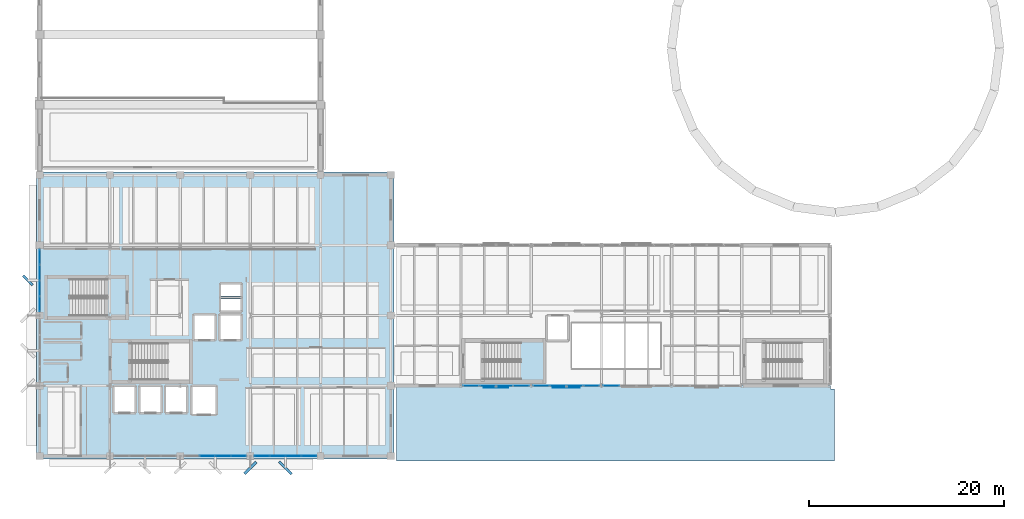
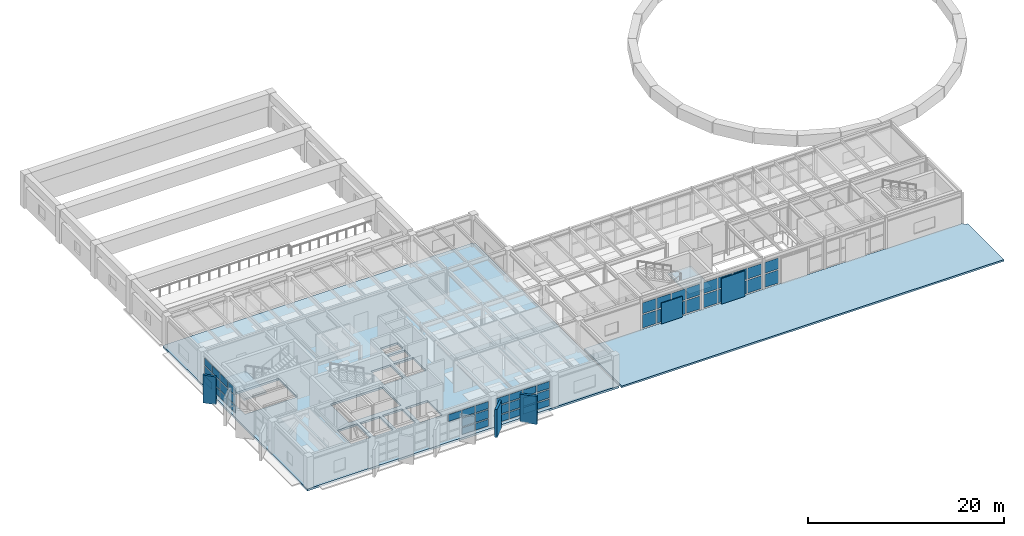
# One storey, part 23 of 37: 54 plates, 4 slabs, 8 elements without a shape of their own.
"""IFC4 building model written with IfcOpenShell, lengths in metres."""

from ifc_helpers import new_model, si_unit, direction, frame, origin, origin_2d, place, context, subcontext, project, spatial, polyline, rectangle, outline, extrude, material, layer, layer_set, type_object, element, aggregate, save


model = new_model("IFC4")

# Units and contexts
model_context = context("Model", 3, precision=1e-05, world=origin(), true_north=direction((0.0, 1.0)))
body_context = subcontext(model_context, "Body", "Model", "MODEL_VIEW")
ifc_project = project(units=[si_unit("LENGTHUNIT", "METRE"), si_unit("AREAUNIT", "SQUARE_METRE"), si_unit("VOLUMEUNIT", "CUBIC_METRE"), si_unit("PLANEANGLEUNIT", "RADIAN"), si_unit("MASSUNIT", "GRAM", prefix="KILO")], contexts=[model_context])

# Site, building, storey
site_placement = place(None, origin())
site = spatial("IfcSite", under=ifc_project, at=site_placement, CompositionType="ELEMENT")
building_placement = place(site_placement, origin())
building = spatial("IfcBuilding", under=site, at=building_placement, Name="Kandorven Conservatory and Botanical Research Centre", CompositionType="ELEMENT")
storey_placement = place(building_placement, frame((0.0, 0.0, 9.0)))
storey = spatial("IfcBuildingStorey", under=building, at=storey_placement, Name="L02", CompositionType="ELEMENT", Elevation=9.0)

# Curtain wall, plates
ifc_material_1 = material(Name="Bronze anodised thermally broken aluminium", Category="aluminium")
ifc_layer_1 = layer(ifc_material_1, 0.179931640625)
ifc_layer_set_1 = layer_set([ifc_layer_1], Name="Bronze anodised thermally broken aluminium")
curtain_wall_type = type_object("IfcCurtainWallType", Name="CW_Unitised", PredefinedType="USERDEFINED", material=ifc_layer_set_1)
curtain_wall_1_placement = place(storey_placement, origin())
curtain_wall_1 = element("IfcCurtainWall", 1, at=curtain_wall_1_placement, inside=storey, type_object=curtain_wall_type, Name="Visitor wing unitised curtain wall CW-VIS-S-L02-2", ObjectType="UNITISED GLAZING", PredefinedType="USERDEFINED")
ifc_material_2 = material(Name="Double-glazed solar-control low-E glass", Category="glass")
ifc_layer_2 = layer(ifc_material_2, 0.028076171875)
ifc_layer_set_2 = layer_set([ifc_layer_2], Name="Double-glazed solar-control low-E glass")
plate_type_1 = type_object("IfcPlateType", Name="CW_Panel", PredefinedType="CURTAIN_PANEL", material=ifc_layer_set_2)
plate_1_placement = place(storey_placement, frame((50.2138671875, 13.199951171875, 0.14990234375), z_axis=(0.0, 0.0, 1.0), x_axis=(1.0, 0.0, 0.0)))
plate_1 = element("IfcPlate", 2, at=plate_1_placement, type_object=plate_type_1, Name="CW-01 panel 1.1", PredefinedType="CURTAIN_PANEL", context=body_context, shape_type="SweptSolid", body=[
    extrude(rectangle(XDim=1.617431640625, YDim=0.028076171875, at=origin_2d()), origin(), (0.0, 0.0, 1.0), 1.625),
])
plate_2_placement = place(storey_placement, frame((50.2138671875, 13.199951171875, 1.9248046875), z_axis=(0.0, 0.0, 1.0), x_axis=(1.0, 0.0, 0.0)))
plate_2 = element("IfcPlate", 3, at=plate_2_placement, type_object=plate_type_1, Name="CW-01 panel 1.2", PredefinedType="CURTAIN_PANEL", context=body_context, shape_type="SweptSolid", body=[
    extrude(rectangle(XDim=1.617431640625, YDim=0.028076171875, at=origin_2d()), origin(), (0.0, 0.0, 1.0), 1.344970703125),
])
plate_3_placement = place(storey_placement, frame((51.93115234375, 13.199951171875, 0.14990234375), z_axis=(0.0, 0.0, 1.0), x_axis=(1.0, 0.0, 0.0)))
plate_3 = element("IfcPlate", 4, at=plate_3_placement, type_object=plate_type_1, Name="CW-01 panel 2.1", PredefinedType="CURTAIN_PANEL", context=body_context, shape_type="SweptSolid", body=[
    extrude(rectangle(XDim=1.657470703125, YDim=0.028076171875, at=origin_2d()), origin(), (0.0, 0.0, 1.0), 1.625),
])
plate_4_placement = place(storey_placement, frame((51.93115234375, 13.199951171875, 1.9248046875), z_axis=(0.0, 0.0, 1.0), x_axis=(1.0, 0.0, 0.0)))
plate_4 = element("IfcPlate", 5, at=plate_4_placement, type_object=plate_type_1, Name="CW-01 panel 2.2", PredefinedType="CURTAIN_PANEL", context=body_context, shape_type="SweptSolid", body=[
    extrude(rectangle(XDim=1.657470703125, YDim=0.028076171875, at=origin_2d()), origin(), (0.0, 0.0, 1.0), 1.344970703125),
])
plate_5_placement = place(storey_placement, frame((53.668701171875, 13.199951171875, 0.14990234375), z_axis=(0.0, 0.0, 1.0), x_axis=(1.0, 0.0, 0.0)))
plate_5 = element("IfcPlate", 6, at=plate_5_placement, type_object=plate_type_1, Name="CW-01 panel 3.1", PredefinedType="CURTAIN_PANEL", context=body_context, shape_type="SweptSolid", body=[
    extrude(rectangle(XDim=1.657470703125, YDim=0.028076171875, at=origin_2d()), origin(), (0.0, 0.0, 1.0), 1.625),
])
plate_6_placement = place(storey_placement, frame((53.668701171875, 13.199951171875, 1.9248046875), z_axis=(0.0, 0.0, 1.0), x_axis=(1.0, 0.0, 0.0)))
plate_6 = element("IfcPlate", 7, at=plate_6_placement, type_object=plate_type_1, Name="CW-01 panel 3.2", PredefinedType="CURTAIN_PANEL", context=body_context, shape_type="SweptSolid", body=[
    extrude(rectangle(XDim=1.657470703125, YDim=0.028076171875, at=origin_2d()), origin(), (0.0, 0.0, 1.0), 1.344970703125),
])
plate_7_placement = place(storey_placement, frame((55.38623046875, 13.199951171875, 0.14990234375), z_axis=(0.0, 0.0, 1.0), x_axis=(1.0, 0.0, 0.0)))
plate_7 = element("IfcPlate", 8, at=plate_7_placement, type_object=plate_type_1, Name="CW-01 panel 4.1", PredefinedType="CURTAIN_PANEL", context=body_context, shape_type="SweptSolid", body=[
    extrude(rectangle(XDim=1.617431640625, YDim=0.028076171875, at=origin_2d()), origin(), (0.0, 0.0, 1.0), 1.625),
])
plate_8_placement = place(storey_placement, frame((55.38623046875, 13.199951171875, 1.9248046875), z_axis=(0.0, 0.0, 1.0), x_axis=(1.0, 0.0, 0.0)))
plate_8 = element("IfcPlate", 9, at=plate_8_placement, type_object=plate_type_1, Name="CW-01 panel 4.2", PredefinedType="CURTAIN_PANEL", context=body_context, shape_type="SweptSolid", body=[
    extrude(rectangle(XDim=1.617431640625, YDim=0.028076171875, at=origin_2d()), origin(), (0.0, 0.0, 1.0), 1.344970703125),
])
aggregate(curtain_wall_1, [plate_1, plate_2, plate_3, plate_4, plate_5, plate_6, plate_7, plate_8])

curtain_wall_2_placement = place(storey_placement, origin())
curtain_wall_2 = element("IfcCurtainWall", 10, at=curtain_wall_2_placement, inside=storey, type_object=curtain_wall_type, Name="Visitor wing unitised curtain wall CW-VIS-S-L02-3", ObjectType="UNITISED GLAZING", PredefinedType="USERDEFINED")
plate_9_placement = place(storey_placement, frame((57.413818359375, 13.199951171875, 0.14990234375), z_axis=(0.0, 0.0, 1.0), x_axis=(1.0, 0.0, 0.0)))
plate_9 = element("IfcPlate", 11, at=plate_9_placement, type_object=plate_type_1, Name="CW-01 panel 1.1", PredefinedType="CURTAIN_PANEL", context=body_context, shape_type="SweptSolid", body=[
    extrude(rectangle(XDim=1.617431640625, YDim=0.028076171875, at=origin_2d()), origin(), (0.0, 0.0, 1.0), 1.625),
])
plate_10_placement = place(storey_placement, frame((57.413818359375, 13.199951171875, 1.9248046875), z_axis=(0.0, 0.0, 1.0), x_axis=(1.0, 0.0, 0.0)))
plate_10 = element("IfcPlate", 12, at=plate_10_placement, type_object=plate_type_1, Name="CW-01 panel 1.2", PredefinedType="CURTAIN_PANEL", context=body_context, shape_type="SweptSolid", body=[
    extrude(rectangle(XDim=1.617431640625, YDim=0.028076171875, at=origin_2d()), origin(), (0.0, 0.0, 1.0), 1.344970703125),
])
plate_11_placement = place(storey_placement, frame((59.13134765625, 13.199951171875, 0.14990234375), z_axis=(0.0, 0.0, 1.0), x_axis=(1.0, 0.0, 0.0)))
plate_11 = element("IfcPlate", 13, at=plate_11_placement, type_object=plate_type_1, Name="CW-01 panel 2.1", PredefinedType="CURTAIN_PANEL", context=body_context, shape_type="SweptSolid", body=[
    extrude(rectangle(XDim=1.657470703125, YDim=0.028076171875, at=origin_2d()), origin(), (0.0, 0.0, 1.0), 1.625),
])
plate_12_placement = place(storey_placement, frame((59.13134765625, 13.199951171875, 1.9248046875), z_axis=(0.0, 0.0, 1.0), x_axis=(1.0, 0.0, 0.0)))
plate_12 = element("IfcPlate", 14, at=plate_12_placement, type_object=plate_type_1, Name="CW-01 panel 2.2", PredefinedType="CURTAIN_PANEL", context=body_context, shape_type="SweptSolid", body=[
    extrude(rectangle(XDim=1.657470703125, YDim=0.028076171875, at=origin_2d()), origin(), (0.0, 0.0, 1.0), 1.344970703125),
])
plate_13_placement = place(storey_placement, frame((60.86865234375, 13.199951171875, 0.14990234375), z_axis=(0.0, 0.0, 1.0), x_axis=(1.0, 0.0, 0.0)))
plate_13 = element("IfcPlate", 15, at=plate_13_placement, type_object=plate_type_1, Name="CW-01 panel 3.1", PredefinedType="CURTAIN_PANEL", context=body_context, shape_type="SweptSolid", body=[
    extrude(rectangle(XDim=1.657470703125, YDim=0.028076171875, at=origin_2d()), origin(), (0.0, 0.0, 1.0), 1.625),
])
plate_14_placement = place(storey_placement, frame((60.86865234375, 13.199951171875, 1.9248046875), z_axis=(0.0, 0.0, 1.0), x_axis=(1.0, 0.0, 0.0)))
plate_14 = element("IfcPlate", 16, at=plate_14_placement, type_object=plate_type_1, Name="CW-01 panel 3.2", PredefinedType="CURTAIN_PANEL", context=body_context, shape_type="SweptSolid", body=[
    extrude(rectangle(XDim=1.657470703125, YDim=0.028076171875, at=origin_2d()), origin(), (0.0, 0.0, 1.0), 1.344970703125),
])
plate_15_placement = place(storey_placement, frame((62.586181640625, 13.199951171875, 0.14990234375), z_axis=(0.0, 0.0, 1.0), x_axis=(1.0, 0.0, 0.0)))
plate_15 = element("IfcPlate", 17, at=plate_15_placement, type_object=plate_type_1, Name="CW-01 panel 4.1", PredefinedType="CURTAIN_PANEL", context=body_context, shape_type="SweptSolid", body=[
    extrude(rectangle(XDim=1.617431640625, YDim=0.028076171875, at=origin_2d()), origin(), (0.0, 0.0, 1.0), 1.625),
])
plate_16_placement = place(storey_placement, frame((62.586181640625, 13.199951171875, 1.9248046875), z_axis=(0.0, 0.0, 1.0), x_axis=(1.0, 0.0, 0.0)))
plate_16 = element("IfcPlate", 18, at=plate_16_placement, type_object=plate_type_1, Name="CW-01 panel 4.2", PredefinedType="CURTAIN_PANEL", context=body_context, shape_type="SweptSolid", body=[
    extrude(rectangle(XDim=1.617431640625, YDim=0.028076171875, at=origin_2d()), origin(), (0.0, 0.0, 1.0), 1.344970703125),
])
aggregate(curtain_wall_2, [plate_9, plate_10, plate_11, plate_12, plate_13, plate_14, plate_15, plate_16])

curtain_wall_3_placement = place(storey_placement, origin())
curtain_wall_3 = element("IfcCurtainWall", 19, at=curtain_wall_3_placement, inside=storey, type_object=curtain_wall_type, Name="Visitor wing unitised curtain wall CW-VIS-S-L02-4", ObjectType="UNITISED GLAZING", PredefinedType="USERDEFINED")
plate_17_placement = place(storey_placement, frame((64.61376953125, 13.199951171875, 0.14990234375), z_axis=(0.0, 0.0, 1.0), x_axis=(1.0, 0.0, 0.0)))
plate_17 = element("IfcPlate", 20, at=plate_17_placement, type_object=plate_type_1, Name="CW-01 panel 1.1", PredefinedType="CURTAIN_PANEL", context=body_context, shape_type="SweptSolid", body=[
    extrude(rectangle(XDim=1.617431640625, YDim=0.028076171875, at=origin_2d()), origin(), (0.0, 0.0, 1.0), 1.625),
])
plate_18_placement = place(storey_placement, frame((64.61376953125, 13.199951171875, 1.9248046875), z_axis=(0.0, 0.0, 1.0), x_axis=(1.0, 0.0, 0.0)))
plate_18 = element("IfcPlate", 21, at=plate_18_placement, type_object=plate_type_1, Name="CW-01 panel 1.2", PredefinedType="CURTAIN_PANEL", context=body_context, shape_type="SweptSolid", body=[
    extrude(rectangle(XDim=1.617431640625, YDim=0.028076171875, at=origin_2d()), origin(), (0.0, 0.0, 1.0), 1.344970703125),
])
aggregate(curtain_wall_3, [plate_17, plate_18])

curtain_wall_4_placement = place(storey_placement, origin())
curtain_wall_4 = element("IfcCurtainWall", 22, at=curtain_wall_4_placement, inside=storey, type_object=curtain_wall_type, Name="Tower laboratory curtain wall CW-TWR-S-L02-3", ObjectType="UNITISED GLAZING", PredefinedType="USERDEFINED")
plate_19_placement = place(storey_placement, frame((23.19384765625, 6.0, 2.3251953125), z_axis=(0.0, 0.0, 1.0), x_axis=(1.0, 0.0, 0.0)))
plate_19 = element("IfcPlate", 23, at=plate_19_placement, type_object=plate_type_1, Name="CW-01 panel 2.3", PredefinedType="CURTAIN_PANEL", context=body_context, shape_type="SweptSolid", body=[
    extrude(rectangle(XDim=1.532470703125, YDim=0.028076171875, at=origin_2d()), origin(), (0.0, 0.0, 1.0), 0.864990234375),
])
plate_20_placement = place(storey_placement, frame((24.80615234375, 6.0, 0.14990234375), z_axis=(0.0, 0.0, 1.0), x_axis=(1.0, 0.0, 0.0)))
plate_20 = element("IfcPlate", 24, at=plate_20_placement, type_object=plate_type_1, Name="CW-01 panel 3.1", PredefinedType="CURTAIN_PANEL", context=body_context, shape_type="SweptSolid", body=[
    extrude(rectangle(XDim=1.532470703125, YDim=0.028076171875, at=origin_2d()), origin(), (0.0, 0.0, 1.0), 0.824951171875),
])
plate_21_placement = place(storey_placement, frame((24.80615234375, 6.0, 1.125), z_axis=(0.0, 0.0, 1.0), x_axis=(1.0, 0.0, 0.0)))
plate_21 = element("IfcPlate", 25, at=plate_21_placement, type_object=plate_type_1, Name="CW-01 panel 3.2", PredefinedType="CURTAIN_PANEL", context=body_context, shape_type="SweptSolid", body=[
    extrude(rectangle(XDim=1.532470703125, YDim=0.028076171875, at=origin_2d()), origin(), (0.0, 0.0, 1.0), 1.050048828125),
])
plate_22_placement = place(storey_placement, frame((24.80615234375, 6.0, 2.3251953125), z_axis=(0.0, 0.0, 1.0), x_axis=(1.0, 0.0, 0.0)))
plate_22 = element("IfcPlate", 26, at=plate_22_placement, type_object=plate_type_1, Name="CW-01 panel 3.3", PredefinedType="CURTAIN_PANEL", context=body_context, shape_type="SweptSolid", body=[
    extrude(rectangle(XDim=1.532470703125, YDim=0.028076171875, at=origin_2d()), origin(), (0.0, 0.0, 1.0), 0.864990234375),
])
plate_23_placement = place(storey_placement, frame((26.398681640625, 6.0, 0.14990234375), z_axis=(0.0, 0.0, 1.0), x_axis=(1.0, 0.0, 0.0)))
plate_23 = element("IfcPlate", 27, at=plate_23_placement, type_object=plate_type_1, Name="CW-01 panel 4.1", PredefinedType="CURTAIN_PANEL", context=body_context, shape_type="SweptSolid", body=[
    extrude(rectangle(XDim=1.492431640625, YDim=0.028076171875, at=origin_2d()), origin(), (0.0, 0.0, 1.0), 0.824951171875),
])
plate_24_placement = place(storey_placement, frame((26.398681640625, 6.0, 1.125), z_axis=(0.0, 0.0, 1.0), x_axis=(1.0, 0.0, 0.0)))
plate_24 = element("IfcPlate", 28, at=plate_24_placement, type_object=plate_type_1, Name="CW-01 panel 4.2", PredefinedType="CURTAIN_PANEL", context=body_context, shape_type="SweptSolid", body=[
    extrude(rectangle(XDim=1.492431640625, YDim=0.028076171875, at=origin_2d()), origin(), (0.0, 0.0, 1.0), 1.050048828125),
])
plate_25_placement = place(storey_placement, frame((26.398681640625, 6.0, 2.3251953125), z_axis=(0.0, 0.0, 1.0), x_axis=(1.0, 0.0, 0.0)))
plate_25 = element("IfcPlate", 29, at=plate_25_placement, type_object=plate_type_1, Name="CW-01 panel 4.3", PredefinedType="CURTAIN_PANEL", context=body_context, shape_type="SweptSolid", body=[
    extrude(rectangle(XDim=1.492431640625, YDim=0.028076171875, at=origin_2d()), origin(), (0.0, 0.0, 1.0), 0.864990234375),
])
aggregate(curtain_wall_4, [plate_19, plate_20, plate_21, plate_22, plate_23, plate_24, plate_25])

curtain_wall_5_placement = place(storey_placement, origin())
curtain_wall_5 = element("IfcCurtainWall", 30, at=curtain_wall_5_placement, inside=storey, type_object=curtain_wall_type, Name="Tower laboratory curtain wall CW-TWR-S-L02-4", ObjectType="UNITISED GLAZING", PredefinedType="USERDEFINED")
plate_26_placement = place(storey_placement, frame((28.80126953125, 6.0, 0.14990234375), z_axis=(0.0, 0.0, 1.0), x_axis=(1.0, 0.0, 0.0)))
plate_26 = element("IfcPlate", 31, at=plate_26_placement, type_object=plate_type_1, Name="CW-01 panel 1.1", PredefinedType="CURTAIN_PANEL", context=body_context, shape_type="SweptSolid", body=[
    extrude(rectangle(XDim=1.492431640625, YDim=0.028076171875, at=origin_2d()), origin(), (0.0, 0.0, 1.0), 0.824951171875),
])
plate_27_placement = place(storey_placement, frame((28.80126953125, 6.0, 1.125), z_axis=(0.0, 0.0, 1.0), x_axis=(1.0, 0.0, 0.0)))
plate_27 = element("IfcPlate", 32, at=plate_27_placement, type_object=plate_type_1, Name="CW-01 panel 1.2", PredefinedType="CURTAIN_PANEL", context=body_context, shape_type="SweptSolid", body=[
    extrude(rectangle(XDim=1.492431640625, YDim=0.028076171875, at=origin_2d()), origin(), (0.0, 0.0, 1.0), 1.050048828125),
])
plate_28_placement = place(storey_placement, frame((28.80126953125, 6.0, 2.3251953125), z_axis=(0.0, 0.0, 1.0), x_axis=(1.0, 0.0, 0.0)))
plate_28 = element("IfcPlate", 33, at=plate_28_placement, type_object=plate_type_1, Name="CW-01 panel 1.3", PredefinedType="CURTAIN_PANEL", context=body_context, shape_type="SweptSolid", body=[
    extrude(rectangle(XDim=1.492431640625, YDim=0.028076171875, at=origin_2d()), origin(), (0.0, 0.0, 1.0), 0.864990234375),
])
plate_29_placement = place(storey_placement, frame((30.393798828125, 6.0, 0.14990234375), z_axis=(0.0, 0.0, 1.0), x_axis=(1.0, 0.0, 0.0)))
plate_29 = element("IfcPlate", 34, at=plate_29_placement, type_object=plate_type_1, Name="CW-01 panel 2.1", PredefinedType="CURTAIN_PANEL", context=body_context, shape_type="SweptSolid", body=[
    extrude(rectangle(XDim=1.532470703125, YDim=0.028076171875, at=origin_2d()), origin(), (0.0, 0.0, 1.0), 0.824951171875),
])
plate_30_placement = place(storey_placement, frame((30.393798828125, 6.0, 1.125), z_axis=(0.0, 0.0, 1.0), x_axis=(1.0, 0.0, 0.0)))
plate_30 = element("IfcPlate", 35, at=plate_30_placement, type_object=plate_type_1, Name="CW-01 panel 2.2", PredefinedType="CURTAIN_PANEL", context=body_context, shape_type="SweptSolid", body=[
    extrude(rectangle(XDim=1.532470703125, YDim=0.028076171875, at=origin_2d()), origin(), (0.0, 0.0, 1.0), 1.050048828125),
])
plate_31_placement = place(storey_placement, frame((30.393798828125, 6.0, 2.3251953125), z_axis=(0.0, 0.0, 1.0), x_axis=(1.0, 0.0, 0.0)))
plate_31 = element("IfcPlate", 36, at=plate_31_placement, type_object=plate_type_1, Name="CW-01 panel 2.3", PredefinedType="CURTAIN_PANEL", context=body_context, shape_type="SweptSolid", body=[
    extrude(rectangle(XDim=1.532470703125, YDim=0.028076171875, at=origin_2d()), origin(), (0.0, 0.0, 1.0), 0.864990234375),
])
plate_32_placement = place(storey_placement, frame((32.00634765625, 6.0, 0.14990234375), z_axis=(0.0, 0.0, 1.0), x_axis=(1.0, 0.0, 0.0)))
plate_32 = element("IfcPlate", 37, at=plate_32_placement, type_object=plate_type_1, Name="CW-01 panel 3.1", PredefinedType="CURTAIN_PANEL", context=body_context, shape_type="SweptSolid", body=[
    extrude(rectangle(XDim=1.532470703125, YDim=0.028076171875, at=origin_2d()), origin(), (0.0, 0.0, 1.0), 0.824951171875),
])
plate_33_placement = place(storey_placement, frame((32.00634765625, 6.0, 1.125), z_axis=(0.0, 0.0, 1.0), x_axis=(1.0, 0.0, 0.0)))
plate_33 = element("IfcPlate", 38, at=plate_33_placement, type_object=plate_type_1, Name="CW-01 panel 3.2", PredefinedType="CURTAIN_PANEL", context=body_context, shape_type="SweptSolid", body=[
    extrude(rectangle(XDim=1.532470703125, YDim=0.028076171875, at=origin_2d()), origin(), (0.0, 0.0, 1.0), 1.050048828125),
])
plate_34_placement = place(storey_placement, frame((32.00634765625, 6.0, 2.3251953125), z_axis=(0.0, 0.0, 1.0), x_axis=(1.0, 0.0, 0.0)))
plate_34 = element("IfcPlate", 39, at=plate_34_placement, type_object=plate_type_1, Name="CW-01 panel 3.3", PredefinedType="CURTAIN_PANEL", context=body_context, shape_type="SweptSolid", body=[
    extrude(rectangle(XDim=1.532470703125, YDim=0.028076171875, at=origin_2d()), origin(), (0.0, 0.0, 1.0), 0.864990234375),
])
plate_35_placement = place(storey_placement, frame((33.5986328125, 6.0, 0.14990234375), z_axis=(0.0, 0.0, 1.0), x_axis=(1.0, 0.0, 0.0)))
plate_35 = element("IfcPlate", 40, at=plate_35_placement, type_object=plate_type_1, Name="CW-01 panel 4.1", PredefinedType="CURTAIN_PANEL", context=body_context, shape_type="SweptSolid", body=[
    extrude(rectangle(XDim=1.492431640625, YDim=0.028076171875, at=origin_2d()), origin(), (0.0, 0.0, 1.0), 0.824951171875),
])
plate_36_placement = place(storey_placement, frame((33.5986328125, 6.0, 1.125), z_axis=(0.0, 0.0, 1.0), x_axis=(1.0, 0.0, 0.0)))
plate_36 = element("IfcPlate", 41, at=plate_36_placement, type_object=plate_type_1, Name="CW-01 panel 4.2", PredefinedType="CURTAIN_PANEL", context=body_context, shape_type="SweptSolid", body=[
    extrude(rectangle(XDim=1.492431640625, YDim=0.028076171875, at=origin_2d()), origin(), (0.0, 0.0, 1.0), 1.050048828125),
])
plate_37_placement = place(storey_placement, frame((33.5986328125, 6.0, 2.3251953125), z_axis=(0.0, 0.0, 1.0), x_axis=(1.0, 0.0, 0.0)))
plate_37 = element("IfcPlate", 42, at=plate_37_placement, type_object=plate_type_1, Name="CW-01 panel 4.3", PredefinedType="CURTAIN_PANEL", context=body_context, shape_type="SweptSolid", body=[
    extrude(rectangle(XDim=1.492431640625, YDim=0.028076171875, at=origin_2d()), origin(), (0.0, 0.0, 1.0), 0.864990234375),
])
aggregate(curtain_wall_5, [plate_26, plate_27, plate_28, plate_29, plate_30, plate_31, plate_32, plate_33, plate_34, plate_35, plate_36, plate_37])

curtain_wall_6_placement = place(storey_placement, origin())
curtain_wall_6 = element("IfcCurtainWall", 43, at=curtain_wall_6_placement, inside=storey, type_object=curtain_wall_type, Name="Tower laboratory curtain wall CW-TWR-W-L02-3", ObjectType="UNITISED GLAZING", PredefinedType="USERDEFINED")
plate_38_placement = place(storey_placement, frame((6.0, 21.601318359375, 0.14990234375), z_axis=(0.0, 0.0, 1.0), x_axis=(0.0, 1.0, 0.0)))
plate_38 = element("IfcPlate", 44, at=plate_38_placement, type_object=plate_type_1, Name="CW-01 panel 1.1", PredefinedType="CURTAIN_PANEL", context=body_context, shape_type="SweptSolid", body=[
    extrude(rectangle(XDim=1.492431640625, YDim=0.028076171875, at=origin_2d()), origin(), (0.0, 0.0, 1.0), 0.824951171875),
])
plate_39_placement = place(storey_placement, frame((6.0, 21.601318359375, 1.125), z_axis=(0.0, 0.0, 1.0), x_axis=(0.0, 1.0, 0.0)))
plate_39 = element("IfcPlate", 45, at=plate_39_placement, type_object=plate_type_1, Name="CW-01 panel 1.2", PredefinedType="CURTAIN_PANEL", context=body_context, shape_type="SweptSolid", body=[
    extrude(rectangle(XDim=1.492431640625, YDim=0.028076171875, at=origin_2d()), origin(), (0.0, 0.0, 1.0), 1.050048828125),
])
plate_40_placement = place(storey_placement, frame((6.0, 21.601318359375, 2.3251953125), z_axis=(0.0, 0.0, 1.0), x_axis=(0.0, 1.0, 0.0)))
plate_40 = element("IfcPlate", 46, at=plate_40_placement, type_object=plate_type_1, Name="CW-01 panel 1.3", PredefinedType="CURTAIN_PANEL", context=body_context, shape_type="SweptSolid", body=[
    extrude(rectangle(XDim=1.492431640625, YDim=0.028076171875, at=origin_2d()), origin(), (0.0, 0.0, 1.0), 0.864990234375),
])
plate_41_placement = place(storey_placement, frame((6.0, 23.19384765625, 0.14990234375), z_axis=(0.0, 0.0, 1.0), x_axis=(0.0, 1.0, 0.0)))
plate_41 = element("IfcPlate", 47, at=plate_41_placement, type_object=plate_type_1, Name="CW-01 panel 2.1", PredefinedType="CURTAIN_PANEL", context=body_context, shape_type="SweptSolid", body=[
    extrude(rectangle(XDim=1.532470703125, YDim=0.028076171875, at=origin_2d()), origin(), (0.0, 0.0, 1.0), 0.824951171875),
])
plate_42_placement = place(storey_placement, frame((6.0, 23.19384765625, 1.125), z_axis=(0.0, 0.0, 1.0), x_axis=(0.0, 1.0, 0.0)))
plate_42 = element("IfcPlate", 48, at=plate_42_placement, type_object=plate_type_1, Name="CW-01 panel 2.2", PredefinedType="CURTAIN_PANEL", context=body_context, shape_type="SweptSolid", body=[
    extrude(rectangle(XDim=1.532470703125, YDim=0.028076171875, at=origin_2d()), origin(), (0.0, 0.0, 1.0), 1.050048828125),
])
plate_43_placement = place(storey_placement, frame((6.0, 23.19384765625, 2.3251953125), z_axis=(0.0, 0.0, 1.0), x_axis=(0.0, 1.0, 0.0)))
plate_43 = element("IfcPlate", 49, at=plate_43_placement, type_object=plate_type_1, Name="CW-01 panel 2.3", PredefinedType="CURTAIN_PANEL", context=body_context, shape_type="SweptSolid", body=[
    extrude(rectangle(XDim=1.532470703125, YDim=0.028076171875, at=origin_2d()), origin(), (0.0, 0.0, 1.0), 0.864990234375),
])
plate_44_placement = place(storey_placement, frame((6.0, 24.80615234375, 0.14990234375), z_axis=(0.0, 0.0, 1.0), x_axis=(0.0, 1.0, 0.0)))
plate_44 = element("IfcPlate", 50, at=plate_44_placement, type_object=plate_type_1, Name="CW-01 panel 3.1", PredefinedType="CURTAIN_PANEL", context=body_context, shape_type="SweptSolid", body=[
    extrude(rectangle(XDim=1.532470703125, YDim=0.028076171875, at=origin_2d()), origin(), (0.0, 0.0, 1.0), 0.824951171875),
])
plate_45_placement = place(storey_placement, frame((6.0, 24.80615234375, 1.125), z_axis=(0.0, 0.0, 1.0), x_axis=(0.0, 1.0, 0.0)))
plate_45 = element("IfcPlate", 51, at=plate_45_placement, type_object=plate_type_1, Name="CW-01 panel 3.2", PredefinedType="CURTAIN_PANEL", context=body_context, shape_type="SweptSolid", body=[
    extrude(rectangle(XDim=1.532470703125, YDim=0.028076171875, at=origin_2d()), origin(), (0.0, 0.0, 1.0), 1.050048828125),
])
plate_46_placement = place(storey_placement, frame((6.0, 24.80615234375, 2.3251953125), z_axis=(0.0, 0.0, 1.0), x_axis=(0.0, 1.0, 0.0)))
plate_46 = element("IfcPlate", 52, at=plate_46_placement, type_object=plate_type_1, Name="CW-01 panel 3.3", PredefinedType="CURTAIN_PANEL", context=body_context, shape_type="SweptSolid", body=[
    extrude(rectangle(XDim=1.532470703125, YDim=0.028076171875, at=origin_2d()), origin(), (0.0, 0.0, 1.0), 0.864990234375),
])
plate_47_placement = place(storey_placement, frame((6.0, 26.398681640625, 0.14990234375), z_axis=(0.0, 0.0, 1.0), x_axis=(0.0, 1.0, 0.0)))
plate_47 = element("IfcPlate", 53, at=plate_47_placement, type_object=plate_type_1, Name="CW-01 panel 4.1", PredefinedType="CURTAIN_PANEL", context=body_context, shape_type="SweptSolid", body=[
    extrude(rectangle(XDim=1.492431640625, YDim=0.028076171875, at=origin_2d()), origin(), (0.0, 0.0, 1.0), 0.824951171875),
])
plate_48_placement = place(storey_placement, frame((6.0, 26.398681640625, 1.125), z_axis=(0.0, 0.0, 1.0), x_axis=(0.0, 1.0, 0.0)))
plate_48 = element("IfcPlate", 54, at=plate_48_placement, type_object=plate_type_1, Name="CW-01 panel 4.2", PredefinedType="CURTAIN_PANEL", context=body_context, shape_type="SweptSolid", body=[
    extrude(rectangle(XDim=1.492431640625, YDim=0.028076171875, at=origin_2d()), origin(), (0.0, 0.0, 1.0), 1.050048828125),
])
plate_49_placement = place(storey_placement, frame((6.0, 26.398681640625, 2.3251953125), z_axis=(0.0, 0.0, 1.0), x_axis=(0.0, 1.0, 0.0)))
plate_49 = element("IfcPlate", 55, at=plate_49_placement, type_object=plate_type_1, Name="CW-01 panel 4.3", PredefinedType="CURTAIN_PANEL", context=body_context, shape_type="SweptSolid", body=[
    extrude(rectangle(XDim=1.492431640625, YDim=0.028076171875, at=origin_2d()), origin(), (0.0, 0.0, 1.0), 0.864990234375),
])
aggregate(curtain_wall_6, [plate_38, plate_39, plate_40, plate_41, plate_42, plate_43, plate_44, plate_45, plate_46, plate_47, plate_48, plate_49])

# Plates
ifc_material_3 = material(Name="Precast concrete C40/50 (M50)", Category="concrete")
ifc_layer_3 = layer(ifc_material_3, 0.239990234375)
ifc_layer_set_3 = layer_set([ifc_layer_3], Name="Precast concrete C40/50 (M50)")
plate_type_2 = type_object("IfcPlateType", Name="Fin_BF-01", PredefinedType="USERDEFINED", material=ifc_layer_set_3)
plate_50_placement = place(storey_placement, frame((4.780029296875, 24.0, -0.119873046875), z_axis=(0.0, 0.0, 1.0), x_axis=(-0.707106781187, 0.707106781187, 0.0)))
element("IfcPlate", 56, at=plate_50_placement, inside=storey, type_object=plate_type_2, Name="Sculpted board-marked concrete brise-soleil fin BF-01", ObjectType="SOLAR FIN", PredefinedType="USERDEFINED", context=body_context, shape_type="SweptSolid", body=[
    extrude(rectangle(XDim=1.39990234375, YDim=0.239990234375, at=origin_2d()), origin(), (0.0, 0.0, 1.0), 3.4599609375),
])
ifc_material_4 = material(Name="Precast concrete C40/50 (M50)", Category="concrete")
ifc_layer_4 = layer(ifc_material_4, 0.26611328125)
ifc_layer_set_4 = layer_set([ifc_layer_4], Name="Precast concrete C40/50 (M50)")
plate_type_3 = type_object("IfcPlateType", Name="Fin_BF-16", PredefinedType="USERDEFINED", material=ifc_layer_set_4)
plate_51_placement = place(storey_placement, frame((27.60009765625, 4.780029296875, -0.119873046875), z_axis=(0.0, 0.0, 1.0), x_axis=(0.707106781187, 0.707106781187, 0.0)))
element("IfcPlate", 57, at=plate_51_placement, inside=storey, type_object=plate_type_3, Name="Sculpted board-marked concrete brise-soleil fin BF-16", ObjectType="SOLAR FIN", PredefinedType="USERDEFINED", context=body_context, shape_type="SweptSolid", body=[
    extrude(rectangle(XDim=1.72998046875, YDim=0.26611328125, at=origin_2d()), origin(), (0.0, 0.0, 1.0), 3.4599609375),
])
ifc_material_5 = material(Name="Precast concrete C40/50 (M50)", Category="concrete")
ifc_layer_5 = layer(ifc_material_5, 0.27197265625)
ifc_layer_set_5 = layer_set([ifc_layer_5], Name="Precast concrete C40/50 (M50)")
plate_type_4 = type_object("IfcPlateType", Name="Fin_BF-17", PredefinedType="USERDEFINED", material=ifc_layer_set_5)
plate_52_placement = place(storey_placement, frame((31.199951171875, 4.780029296875, -0.119873046875), z_axis=(0.0, 0.0, 1.0), x_axis=(-0.707106781187, 0.707106781187, 0.0)))
element("IfcPlate", 58, at=plate_52_placement, inside=storey, type_object=plate_type_4, Name="Sculpted board-marked concrete brise-soleil fin BF-17", ObjectType="SOLAR FIN", PredefinedType="USERDEFINED", context=body_context, shape_type="SweptSolid", body=[
    extrude(rectangle(XDim=1.7900390625, YDim=0.27197265625, at=origin_2d()), origin(), (0.0, 0.0, 1.0), 3.4599609375),
])
ifc_material_6 = material(Name="Precast concrete C40/50 (M50)", Category="concrete")
ifc_layer_6 = layer(ifc_material_6, 0.090087890625)
ifc_layer_set_6 = layer_set([ifc_layer_6], Name="Precast concrete C40/50 (M50)")
plate_type_5 = type_object("IfcPlateType", Name="Jali_JP-10", PredefinedType="USERDEFINED", material=ifc_layer_set_6)
plate_53_placement = place(storey_placement, frame((52.800048828125, 13.06005859375, 0.0), z_axis=(0.0, 0.0, 1.0), x_axis=(1.0, 0.0, 0.0)))
element("IfcPlate", 59, at=plate_53_placement, inside=storey, type_object=plate_type_5, Name="Perforated precast concrete jali screen JP-10", ObjectType="JALI SCREEN", PredefinedType="USERDEFINED", context=body_context, shape_type="SweptSolid", body=[
    extrude(rectangle(XDim=2.5, YDim=0.090087890625, at=origin_2d()), origin(), (0.0, 0.0, 1.0), 2.60009765625),
])
ifc_material_7 = material(Name="Precast concrete C40/50 (M50)", Category="concrete")
ifc_layer_7 = layer(ifc_material_7, 0.10009765625)
ifc_layer_set_7 = layer_set([ifc_layer_7], Name="Precast concrete C40/50 (M50)")
plate_type_6 = type_object("IfcPlateType", Name="Jali_JP-11", PredefinedType="USERDEFINED", material=ifc_layer_set_7)
plate_54_placement = place(storey_placement, frame((60.0, 13.06005859375, 0.0), z_axis=(0.0, 0.0, 1.0), x_axis=(1.0, 0.0, 0.0)))
element("IfcPlate", 60, at=plate_54_placement, inside=storey, type_object=plate_type_6, Name="Perforated precast concrete jali screen JP-11", ObjectType="JALI SCREEN", PredefinedType="USERDEFINED", context=body_context, shape_type="SweptSolid", body=[
    extrude(rectangle(XDim=2.75, YDim=0.10009765625, at=origin_2d()), origin(), (0.0, 0.0, 1.0), 3.199951171875),
])

# Slabs
ifc_material_8 = material(Name="Concrete C32/40 (M40)", Category="concrete")
ifc_layer_8 = layer(ifc_material_8, 0.2119140625)
ifc_layer_set_8 = layer_set([ifc_layer_8], Name="Concrete C32/40 (M40)")
slab_type_1 = type_object("IfcSlabType", Name="Slab_RS-05", PredefinedType="ROOF", material=ifc_layer_set_8)
slab_1_placement = place(storey_placement, frame((0.0, 0.0, -0.219970703125)))
element("IfcSlab", 61, at=slab_1_placement, inside=storey, type_object=slab_type_1, Name="Two-storey street colonnade shade roof slab", PredefinedType="ROOF", context=body_context, shape_type="SweptSolid", body=[
    extrude(outline(polyline([(42.56005859375, 5.5), (87.5, 5.5), (87.5, 12.85009765625), (87.10009765625, 12.85009765625), (87.10009765625, 13.199951171875), (42.56005859375, 13.199951171875), (42.56005859375, 5.5)])), origin(), (0.0, 0.0, 1.0), 0.219970703125),
])
ifc_material_9 = material(Name="Concrete C32/40 (M40)", Category="concrete")
ifc_layer_9 = layer(ifc_material_9, 0.25)
ifc_layer_set_9 = layer_set([ifc_layer_9], Name="Concrete C32/40 (M40)")
slab_type_2 = type_object("IfcSlabType", Name="Slab_SL-06", PredefinedType="FLOOR", material=ifc_layer_set_9)
slab_2_placement = place(storey_placement, frame((0.0, 0.0, -0.25)))
element("IfcSlab", 62, at=slab_2_placement, inside=storey, type_object=slab_type_2, Name="Tower floor slab L02", PredefinedType="FLOOR", context=body_context, shape_type="SweptSolid", body=[
    extrude(outline(polyline([(5.679931640625, 5.679931640625), (42.320068359375, 5.679931640625), (42.320068359375, 34.919921875), (42.1201171875, 34.919921875), (42.1201171875, 35.1201171875), (5.679931640625, 35.1201171875), (5.679931640625, 5.679931640625)]), holes=[polyline([(15.239990234375, 13.780029296875), (21.3798828125, 13.780029296875), (21.3798828125, 17.570068359375), (15.239990234375, 17.570068359375), (15.239990234375, 13.780029296875)]), polyline([(12.9599609375, 24.14990234375), (6.820068359375, 24.14990234375), (6.820068359375, 20.360107421875), (12.9599609375, 20.360107421875), (12.9599609375, 24.14990234375)]), polyline([(21.75, 17.85009765625), (24.050048828125, 17.85009765625), (24.050048828125, 20.550048828125), (21.75, 20.550048828125), (21.75, 17.85009765625)]), polyline([(24.39990234375, 17.85009765625), (26.699951171875, 17.85009765625), (26.699951171875, 20.550048828125), (24.39990234375, 20.550048828125), (24.39990234375, 17.85009765625)]), polyline([(13.550048828125, 10.39990234375), (15.85009765625, 10.39990234375), (15.85009765625, 13.199951171875), (13.550048828125, 13.199951171875), (13.550048828125, 10.39990234375)]), polyline([(16.199951171875, 10.39990234375), (18.5, 10.39990234375), (18.5, 13.199951171875), (16.199951171875, 13.199951171875), (16.199951171875, 10.39990234375)]), polyline([(18.85009765625, 10.39990234375), (21.14990234375, 10.39990234375), (21.14990234375, 13.199951171875), (18.85009765625, 13.199951171875), (18.85009765625, 10.39990234375)]), polyline([(21.550048828125, 10.199951171875), (24.14990234375, 10.199951171875), (24.14990234375, 13.199951171875), (21.550048828125, 13.199951171875), (21.550048828125, 10.199951171875)]), polyline([(24.60009765625, 20.89990234375), (26.60009765625, 20.89990234375), (26.60009765625, 22.10009765625), (24.60009765625, 22.10009765625), (24.60009765625, 20.89990234375)]), polyline([(24.60009765625, 22.39990234375), (26.60009765625, 22.39990234375), (26.60009765625, 23.60009765625), (24.60009765625, 23.60009765625), (24.60009765625, 22.39990234375)])]), origin(), (0.0, 0.0, 1.0), 0.25),
])

# Stair, slab
ifc_material_10 = material(Name="Concrete C32/40 (M40)", Category="concrete")
stair_type = type_object("IfcStairType", Name="Stair_1820", PredefinedType="HALF_TURN_STAIR", material=ifc_material_10)
stair_1_placement = place(storey_placement, origin())
stair_1 = element("IfcStair", 63, at=stair_1_placement, inside=storey, type_object=stair_type, Name="L02 Tower Fire Stair ST-T2", PredefinedType="HALF_TURN_STAIR")
ifc_material_11 = material(Name="Concrete C32/40 (M40)", Category="concrete")
ifc_layer_10 = layer(ifc_material_11, 0.199951171875)
ifc_layer_set_10 = layer_set([ifc_layer_10], Name="Concrete C32/40 (M40)")
slab_type_3 = type_object("IfcSlabType", Name="StairLanding_200", PredefinedType="LANDING", material=ifc_layer_set_10)
slab_3_placement = place(storey_placement, frame((0.0, 0.0, 1.89990234375)))
slab_3 = element("IfcSlab", 64, at=slab_3_placement, type_object=slab_type_3, Name="ST-T2 landing 1", PredefinedType="LANDING", context=body_context, shape_type="SweptSolid", body=[
    extrude(outline(polyline([(9.240478515625, 24.389892578125), (6.580078125, 24.389892578125), (6.580078125, 20.1201171875), (9.240478515625, 20.1201171875), (9.240478515625, 24.389892578125)])), origin(), (0.0, 0.0, 1.0), 0.2001953125),
])
aggregate(stair_1, [slab_3])

stair_2_placement = place(storey_placement, origin())
stair_2 = element("IfcStair", 65, at=stair_2_placement, inside=storey, type_object=stair_type, Name="L02 Visitor Wing Stair ST-V3A", PredefinedType="HALF_TURN_STAIR")
slab_4_placement = place(storey_placement, frame((0.0, 0.0, 1.89990234375)))
slab_4 = element("IfcSlab", 66, at=slab_4_placement, type_object=slab_type_3, Name="ST-V3A landing 1", PredefinedType="LANDING", context=body_context, shape_type="SweptSolid", body=[
    extrude(outline(polyline([(55.159423828125, 13.610107421875), (57.820068359375, 13.610107421875), (57.820068359375, 17.8798828125), (55.159423828125, 17.8798828125), (55.159423828125, 13.610107421875)])), origin(), (0.0, 0.0, 1.0), 0.2001953125),
])
aggregate(stair_2, [slab_4])

save(model, "model.ifc")
